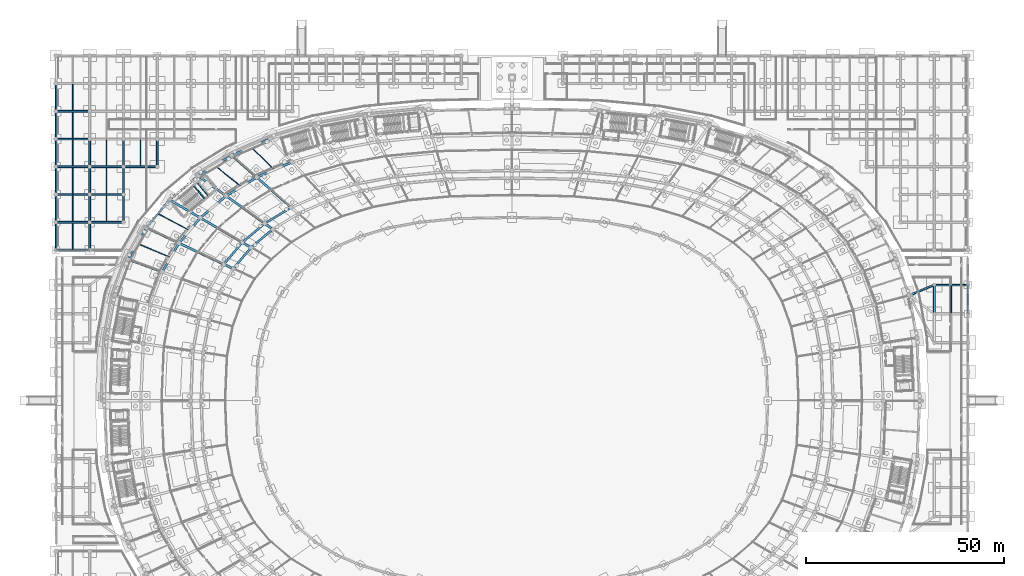
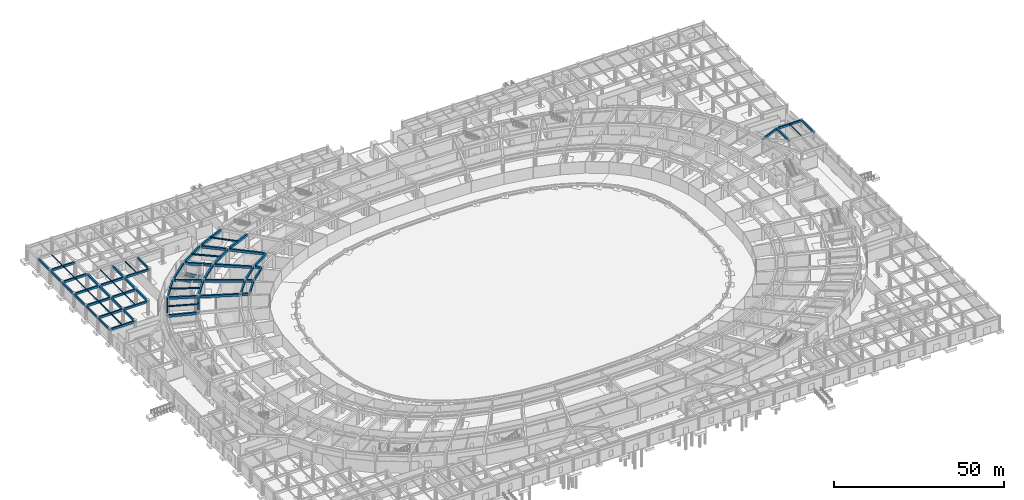
# One storey, part 33 of 88: 72 beams.
"""IFC4 building model written with IfcOpenShell, lengths in metres."""

from ifc_helpers import new_model, si_unit, direction, frame, origin, origin_2d, place, context, subcontext, project, spatial, rectangle, i_section, extrude, material, material_profile, profile_set, type_object, element, save


model = new_model("IFC4")

# Units and contexts
model_context = context("Model", 3, precision=1e-05, world=origin(), true_north=direction((0.0, 1.0)))
body_context = subcontext(model_context, "Body", "Model", "MODEL_VIEW")
ifc_project = project(units=[si_unit("LENGTHUNIT", "METRE"), si_unit("AREAUNIT", "SQUARE_METRE"), si_unit("VOLUMEUNIT", "CUBIC_METRE"), si_unit("PLANEANGLEUNIT", "RADIAN"), si_unit("MASSUNIT", "GRAM", prefix="KILO")], contexts=[model_context])

# Site, building, storey
site_placement = place(None, origin())
site = spatial("IfcSite", under=ifc_project, at=site_placement, CompositionType="ELEMENT")
building_placement = place(site_placement, origin())
building = spatial("IfcBuilding", under=site, at=building_placement, Name="Mphavela Belvedere Stadium", CompositionType="ELEMENT")
storey_placement = place(building_placement, origin())
storey = spatial("IfcBuildingStorey", under=building, at=storey_placement, Name="L00", CompositionType="ELEMENT", Elevation=0.0)

# Beams
ifc_material_1 = material(Name="Steel S355", Category="steel")
ifc_material_profile_1 = material_profile(ifc_material_1, i_section(OverallWidth=0.169921875, OverallDepth=0.360107421875, WebThickness=0.008056640625, FlangeThickness=0.0126953125, at=origin_2d()), Name="IPE 360")
ifc_profile_set_1 = profile_set([ifc_material_profile_1], Name="Steel S355")
beam_type_1 = type_object("IfcBeamType", Name="BM-JOIST-IPE360", PredefinedType="JOIST", material=ifc_profile_set_1)
beam_1_placement = place(storey_placement, frame((55.081787109375, 145.242431640625, 4.969970703125), z_axis=(-0.717067022089, 0.697004222249, 0.0), x_axis=(-0.697004222249, -0.717067022089, 0.0)))
element("IfcBeam", 1, at=beam_1_placement, inside=storey, type_object=beam_type_1, Name="Concourse floor joist L00-17", PredefinedType="JOIST", context=body_context, shape_type="SweptSolid", body=[
    extrude(i_section(OverallWidth=0.169921875, OverallDepth=0.360107421875, WebThickness=0.008056640625, FlangeThickness=0.0126953125, at=origin_2d()), origin(), (0.0, 0.0, 1.0), 8.22607421875),
])
beam_2_placement = place(storey_placement, frame((28.924560546875, 123.116455078125, 4.969970703125), z_axis=(-0.922122234563, 0.386898674751, 0.0), x_axis=(-0.386898674751, -0.922122234563, 0.0)))
element("IfcBeam", 2, at=beam_2_placement, inside=storey, type_object=beam_type_1, Name="Concourse floor joist L00-21", PredefinedType="JOIST", context=body_context, shape_type="SweptSolid", body=[
    extrude(i_section(OverallWidth=0.169921875, OverallDepth=0.360107421875, WebThickness=0.008056640625, FlangeThickness=0.0126953125, at=origin_2d()), origin(), (0.0, 0.0, 1.0), 9.189453125),
])
for number, where, z_axis, x_axis, name in (
    (3, (4.259521484375, 125.22509765625, 4.9599609375), (0.0, 1.0, 0.0), (-1.0, 0.0, 0.0), "North Mast and Ceremonial End Forecourt secondary joist L00 1-1"),
    (4, (4.259521484375, 132.22509765625, 4.9599609375), (0.0, 1.0, 0.0), (-1.0, 0.0, 0.0), "North Mast and Ceremonial End Forecourt secondary joist L00 1-2"),
    (5, (4.259521484375, 139.22509765625, 4.9599609375), (0.0, 1.0, 0.0), (-1.0, 0.0, 0.0), "North Mast and Ceremonial End Forecourt secondary joist L00 1-3"),
    (6, (4.259521484375, 146.22509765625, 4.9599609375), (0.0, 1.0, 0.0), (-1.0, 0.0, 0.0), "North Mast and Ceremonial End Forecourt secondary joist L00 1-4"),
    (7, (4.259521484375, 153.22509765625, 4.9599609375), (0.0, 1.0, 0.0), (-1.0, 0.0, 0.0), "North Mast and Ceremonial End Forecourt secondary joist L00 1-5"),
    (8, (4.259521484375, 160.22509765625, 4.9599609375), (0.0, 1.0, 0.0), (-1.0, 0.0, 0.0), "North Mast and Ceremonial End Forecourt secondary joist L00 1-6"),
    (9, (12.778076171875, 132.22509765625, 4.9599609375), (0.0, 1.0, 0.0), (-1.0, 0.0, 0.0), "North Mast and Ceremonial End Forecourt secondary joist L00 2-2"),
    (10, (12.778076171875, 139.22509765625, 4.9599609375), (0.0, 1.0, 0.0), (-1.0, 0.0, 0.0), "North Mast and Ceremonial End Forecourt secondary joist L00 2-3"),
    (11, (12.778076171875, 146.22509765625, 4.9599609375), (0.0, 1.0, 0.0), (-1.0, 0.0, 0.0), "North Mast and Ceremonial End Forecourt secondary joist L00 2-4"),
    (12, (21.29638671875, 146.22509765625, 4.9599609375), (0.0, 1.0, 0.0), (-1.0, 0.0, 0.0), "North Mast and Ceremonial End Forecourt secondary joist L00 3-4"),
):
    element("IfcBeam", number, at=place(storey_placement, frame(where, z_axis=z_axis, x_axis=x_axis)), inside=storey, type_object=beam_type_1, Name=name, PredefinedType="JOIST", context=body_context, shape_type="SweptSolid", body=[
        extrude(i_section(OverallWidth=0.169921875, OverallDepth=0.360107421875, WebThickness=0.008056640625, FlangeThickness=0.0126953125, at=origin_2d()), origin(), (0.0, 0.0, 1.0), 6.5498046875),
    ])
beam_3_placement = place(storey_placement, frame((225.75, 109.125, 4.9599609375), z_axis=(0.0, 1.0, 0.0), x_axis=(-1.0, 0.0, 0.0)))
element("IfcBeam", 13, at=beam_3_placement, inside=storey, type_object=beam_type_1, Name="East Planted Eaves Peristyle Colonnade secondary joist L00 8-9", PredefinedType="JOIST", context=body_context, shape_type="SweptSolid", body=[
    extrude(i_section(OverallWidth=0.169921875, OverallDepth=0.360107421875, WebThickness=0.008056640625, FlangeThickness=0.0126953125, at=origin_2d()), origin(), (0.0, 0.0, 1.0), 6.85009765625),
])
ifc_material_2 = material(Name="Steel S355", Category="steel")
ifc_material_profile_2 = material_profile(ifc_material_2, i_section(OverallWidth=0.179931640625, OverallDepth=0.39990234375, WebThickness=0.008544921875, FlangeThickness=0.013427734375, at=origin_2d()), Name="IPE 400")
ifc_profile_set_2 = profile_set([ifc_material_profile_2], Name="Steel S355")
beam_type_2 = type_object("IfcBeamType", Name="BM-JOIST-IPE400", PredefinedType="JOIST", material=ifc_profile_set_2)
beam_4_placement = place(storey_placement, frame((46.789306640625, 140.97412109375, 4.949951171875), z_axis=(-0.784195537739, 0.620513785979, 0.0), x_axis=(-0.620513785979, -0.784195537739, 0.0)))
element("IfcBeam", 14, at=beam_4_placement, inside=storey, type_object=beam_type_2, Name="Concourse floor joist L00-18", PredefinedType="JOIST", context=body_context, shape_type="SweptSolid", body=[
    extrude(i_section(OverallWidth=0.179931640625, OverallDepth=0.39990234375, WebThickness=0.008544921875, FlangeThickness=0.013427734375, at=origin_2d()), origin(), (0.0, 0.0, 1.0), 8.56298828125),
])
beam_5_placement = place(storey_placement, frame((33.7119140625, 129.93115234375, 4.949951171875), z_axis=(-0.884250771824, 0.467012390123, 0.0), x_axis=(-0.467012390123, -0.884250771824, 0.0)))
element("IfcBeam", 15, at=beam_5_placement, inside=storey, type_object=beam_type_2, Name="Concourse floor joist L00-20", PredefinedType="JOIST", context=body_context, shape_type="SweptSolid", body=[
    extrude(i_section(OverallWidth=0.179931640625, OverallDepth=0.39990234375, WebThickness=0.008544921875, FlangeThickness=0.013427734375, at=origin_2d()), origin(), (0.0, 0.0, 1.0), 9.0498046875),
])
ifc_material_3 = material(Name="Concrete C40/50", Category="concrete")
ifc_material_profile_3 = material_profile(ifc_material_3, rectangle(XDim=0.300048828125, YDim=0.449951171875, at=origin_2d()), Name="RC 300x450")
ifc_profile_set_3 = profile_set([ifc_material_profile_3], Name="Concrete C40/50")
beam_type_3 = type_object("IfcBeamType", Name="BM-RC300x450", PredefinedType="BEAM", material=ifc_profile_set_3)
for number, where, z_axis, x_axis, name in (
    (16, (37.5927734375, 137.838623046875, 2.27490234375), (-0.644915803055, 0.764253627384, 0.0), (-0.764253627384, -0.644915803055, 0.0), "Core C05 landing trimmer beam L00-1"),
    (17, (38.510009765625, 138.612548828125, 2.27490234375), (-0.644915803055, 0.764253627384, 0.0), (-0.764253627384, -0.644915803055, 0.0), "Core C05 landing trimmer beam L00-2"),
):
    element("IfcBeam", number, at=place(storey_placement, frame(where, z_axis=z_axis, x_axis=x_axis)), inside=storey, type_object=beam_type_3, Name=name, PredefinedType="BEAM", context=body_context, shape_type="SweptSolid", body=[
        extrude(rectangle(XDim=0.300048828125, YDim=0.449951171875, at=origin_2d()), origin(), (0.0, 0.0, 1.0), 4.469970703125),
    ])
ifc_material_4 = material(Name="Concrete C40/50", Category="concrete")
ifc_material_profile_4 = material_profile(ifc_material_4, rectangle(XDim=0.449951171875, YDim=0.75, at=origin_2d()), Name="RC 450x750")
ifc_profile_set_4 = profile_set([ifc_material_profile_4], Name="Concrete C40/50")
beam_type_4 = type_object("IfcBeamType", Name="BM-RC450x750", PredefinedType="BEAM", material=ifc_profile_set_4)
beam_6_placement = place(storey_placement, frame((0.0, 125.0, 4.764892578125), z_axis=(1.0, 0.0, 0.0), x_axis=(0.0, 1.0, 0.0)))
element("IfcBeam", 18, at=beam_6_placement, inside=storey, type_object=beam_type_4, Name="North Mast and Ceremonial End Forecourt entablature beam X L00 1-1", PredefinedType="BEAM", context=body_context, shape_type="SweptSolid", body=[
    extrude(rectangle(XDim=0.449951171875, YDim=0.75, at=origin_2d()), origin(), (0.0, 0.0, 1.0), 8.51904296875),
])
beam_7_placement = place(storey_placement, frame((0.0, 125.0, 4.764892578125), z_axis=(0.0, 1.0, 0.0), x_axis=(-1.0, 0.0, 0.0)))
element("IfcBeam", 19, at=beam_7_placement, inside=storey, type_object=beam_type_4, Name="North Mast and Ceremonial End Forecourt entablature beam Y L00 1-1", PredefinedType="BEAM", context=body_context, shape_type="SweptSolid", body=[
    extrude(rectangle(XDim=0.449951171875, YDim=0.75, at=origin_2d()), origin(), (0.0, 0.0, 1.0), 7.0),
])
beam_8_placement = place(storey_placement, frame((0.0, 132.0, 4.764892578125), z_axis=(1.0, 0.0, 0.0), x_axis=(0.0, 1.0, 0.0)))
element("IfcBeam", 20, at=beam_8_placement, inside=storey, type_object=beam_type_4, Name="North Mast and Ceremonial End Forecourt entablature beam X L00 1-2", PredefinedType="BEAM", context=body_context, shape_type="SweptSolid", body=[
    extrude(rectangle(XDim=0.449951171875, YDim=0.75, at=origin_2d()), origin(), (0.0, 0.0, 1.0), 8.51904296875),
])
beam_9_placement = place(storey_placement, frame((0.0, 132.0, 4.764892578125), z_axis=(0.0, 1.0, 0.0), x_axis=(-1.0, 0.0, 0.0)))
element("IfcBeam", 21, at=beam_9_placement, inside=storey, type_object=beam_type_4, Name="North Mast and Ceremonial End Forecourt entablature beam Y L00 1-2", PredefinedType="BEAM", context=body_context, shape_type="SweptSolid", body=[
    extrude(rectangle(XDim=0.449951171875, YDim=0.75, at=origin_2d()), origin(), (0.0, 0.0, 1.0), 7.0),
])
beam_10_placement = place(storey_placement, frame((0.0, 139.0, 4.764892578125), z_axis=(1.0, 0.0, 0.0), x_axis=(0.0, 1.0, 0.0)))
element("IfcBeam", 22, at=beam_10_placement, inside=storey, type_object=beam_type_4, Name="North Mast and Ceremonial End Forecourt entablature beam X L00 1-3", PredefinedType="BEAM", context=body_context, shape_type="SweptSolid", body=[
    extrude(rectangle(XDim=0.449951171875, YDim=0.75, at=origin_2d()), origin(), (0.0, 0.0, 1.0), 8.51904296875),
])
beam_11_placement = place(storey_placement, frame((0.0, 139.0, 4.764892578125), z_axis=(0.0, 1.0, 0.0), x_axis=(-1.0, 0.0, 0.0)))
element("IfcBeam", 23, at=beam_11_placement, inside=storey, type_object=beam_type_4, Name="North Mast and Ceremonial End Forecourt entablature beam Y L00 1-3", PredefinedType="BEAM", context=body_context, shape_type="SweptSolid", body=[
    extrude(rectangle(XDim=0.449951171875, YDim=0.75, at=origin_2d()), origin(), (0.0, 0.0, 1.0), 7.0),
])
beam_12_placement = place(storey_placement, frame((0.0, 146.0, 4.764892578125), z_axis=(1.0, 0.0, 0.0), x_axis=(0.0, 1.0, 0.0)))
element("IfcBeam", 24, at=beam_12_placement, inside=storey, type_object=beam_type_4, Name="North Mast and Ceremonial End Forecourt entablature beam X L00 1-4", PredefinedType="BEAM", context=body_context, shape_type="SweptSolid", body=[
    extrude(rectangle(XDim=0.449951171875, YDim=0.75, at=origin_2d()), origin(), (0.0, 0.0, 1.0), 8.51904296875),
])
beam_13_placement = place(storey_placement, frame((0.0, 146.0, 4.764892578125), z_axis=(0.0, 1.0, 0.0), x_axis=(-1.0, 0.0, 0.0)))
element("IfcBeam", 25, at=beam_13_placement, inside=storey, type_object=beam_type_4, Name="North Mast and Ceremonial End Forecourt entablature beam Y L00 1-4", PredefinedType="BEAM", context=body_context, shape_type="SweptSolid", body=[
    extrude(rectangle(XDim=0.449951171875, YDim=0.75, at=origin_2d()), origin(), (0.0, 0.0, 1.0), 7.0),
])
beam_14_placement = place(storey_placement, frame((0.0, 153.0, 4.764892578125), z_axis=(1.0, 0.0, 0.0), x_axis=(0.0, 1.0, 0.0)))
element("IfcBeam", 26, at=beam_14_placement, inside=storey, type_object=beam_type_4, Name="North Mast and Ceremonial End Forecourt entablature beam X L00 1-5", PredefinedType="BEAM", context=body_context, shape_type="SweptSolid", body=[
    extrude(rectangle(XDim=0.449951171875, YDim=0.75, at=origin_2d()), origin(), (0.0, 0.0, 1.0), 8.51904296875),
])
beam_15_placement = place(storey_placement, frame((0.0, 153.0, 4.764892578125), z_axis=(0.0, 1.0, 0.0), x_axis=(-1.0, 0.0, 0.0)))
element("IfcBeam", 27, at=beam_15_placement, inside=storey, type_object=beam_type_4, Name="North Mast and Ceremonial End Forecourt entablature beam Y L00 1-5", PredefinedType="BEAM", context=body_context, shape_type="SweptSolid", body=[
    extrude(rectangle(XDim=0.449951171875, YDim=0.75, at=origin_2d()), origin(), (0.0, 0.0, 1.0), 7.0),
])
beam_16_placement = place(storey_placement, frame((0.0, 160.0, 4.764892578125), z_axis=(1.0, 0.0, 0.0), x_axis=(0.0, 1.0, 0.0)))
element("IfcBeam", 28, at=beam_16_placement, inside=storey, type_object=beam_type_4, Name="North Mast and Ceremonial End Forecourt entablature beam X L00 1-6", PredefinedType="BEAM", context=body_context, shape_type="SweptSolid", body=[
    extrude(rectangle(XDim=0.449951171875, YDim=0.75, at=origin_2d()), origin(), (0.0, 0.0, 1.0), 8.51904296875),
])
for number, where, z_axis, x_axis, name in (
    (29, (0.0, 160.0, 4.764892578125), (0.0, 1.0, 0.0), (-1.0, 0.0, 0.0), "North Mast and Ceremonial End Forecourt entablature beam Y L00 1-6"),
    (30, (8.51904296875, 125.0, 4.764892578125), (0.0, 1.0, 0.0), (-1.0, 0.0, 0.0), "North Mast and Ceremonial End Forecourt entablature beam Y L00 2-1"),
):
    element("IfcBeam", number, at=place(storey_placement, frame(where, z_axis=z_axis, x_axis=x_axis)), inside=storey, type_object=beam_type_4, Name=name, PredefinedType="BEAM", context=body_context, shape_type="SweptSolid", body=[
        extrude(rectangle(XDim=0.449951171875, YDim=0.75, at=origin_2d()), origin(), (0.0, 0.0, 1.0), 7.0),
    ])
beam_17_placement = place(storey_placement, frame((8.51904296875, 132.0, 4.764892578125), z_axis=(1.0, 0.0, 0.0), x_axis=(0.0, 1.0, 0.0)))
element("IfcBeam", 31, at=beam_17_placement, inside=storey, type_object=beam_type_4, Name="North Mast and Ceremonial End Forecourt entablature beam X L00 2-2", PredefinedType="BEAM", context=body_context, shape_type="SweptSolid", body=[
    extrude(rectangle(XDim=0.449951171875, YDim=0.75, at=origin_2d()), origin(), (0.0, 0.0, 1.0), 8.51806640625),
])
beam_18_placement = place(storey_placement, frame((8.51904296875, 132.0, 4.764892578125), z_axis=(0.0, 1.0, 0.0), x_axis=(-1.0, 0.0, 0.0)))
element("IfcBeam", 32, at=beam_18_placement, inside=storey, type_object=beam_type_4, Name="North Mast and Ceremonial End Forecourt entablature beam Y L00 2-2", PredefinedType="BEAM", context=body_context, shape_type="SweptSolid", body=[
    extrude(rectangle(XDim=0.449951171875, YDim=0.75, at=origin_2d()), origin(), (0.0, 0.0, 1.0), 7.0),
])
beam_19_placement = place(storey_placement, frame((8.51904296875, 139.0, 4.764892578125), z_axis=(1.0, 0.0, 0.0), x_axis=(0.0, 1.0, 0.0)))
element("IfcBeam", 33, at=beam_19_placement, inside=storey, type_object=beam_type_4, Name="North Mast and Ceremonial End Forecourt entablature beam X L00 2-3", PredefinedType="BEAM", context=body_context, shape_type="SweptSolid", body=[
    extrude(rectangle(XDim=0.449951171875, YDim=0.75, at=origin_2d()), origin(), (0.0, 0.0, 1.0), 8.51806640625),
])
beam_20_placement = place(storey_placement, frame((8.51904296875, 139.0, 4.764892578125), z_axis=(0.0, 1.0, 0.0), x_axis=(-1.0, 0.0, 0.0)))
element("IfcBeam", 34, at=beam_20_placement, inside=storey, type_object=beam_type_4, Name="North Mast and Ceremonial End Forecourt entablature beam Y L00 2-3", PredefinedType="BEAM", context=body_context, shape_type="SweptSolid", body=[
    extrude(rectangle(XDim=0.449951171875, YDim=0.75, at=origin_2d()), origin(), (0.0, 0.0, 1.0), 7.0),
])
beam_21_placement = place(storey_placement, frame((8.51904296875, 146.0, 4.764892578125), z_axis=(1.0, 0.0, 0.0), x_axis=(0.0, 1.0, 0.0)))
element("IfcBeam", 35, at=beam_21_placement, inside=storey, type_object=beam_type_4, Name="North Mast and Ceremonial End Forecourt entablature beam X L00 2-4", PredefinedType="BEAM", context=body_context, shape_type="SweptSolid", body=[
    extrude(rectangle(XDim=0.449951171875, YDim=0.75, at=origin_2d()), origin(), (0.0, 0.0, 1.0), 8.51806640625),
])
for number, where, z_axis, x_axis, name in (
    (36, (8.51904296875, 146.0, 4.764892578125), (0.0, 1.0, 0.0), (-1.0, 0.0, 0.0), "North Mast and Ceremonial End Forecourt entablature beam Y L00 2-4"),
    (37, (17.037109375, 132.0, 4.764892578125), (0.0, 1.0, 0.0), (-1.0, 0.0, 0.0), "North Mast and Ceremonial End Forecourt entablature beam Y L00 3-2"),
    (38, (17.037109375, 139.0, 4.764892578125), (0.0, 1.0, 0.0), (-1.0, 0.0, 0.0), "North Mast and Ceremonial End Forecourt entablature beam Y L00 3-3"),
):
    element("IfcBeam", number, at=place(storey_placement, frame(where, z_axis=z_axis, x_axis=x_axis)), inside=storey, type_object=beam_type_4, Name=name, PredefinedType="BEAM", context=body_context, shape_type="SweptSolid", body=[
        extrude(rectangle(XDim=0.449951171875, YDim=0.75, at=origin_2d()), origin(), (0.0, 0.0, 1.0), 7.0),
    ])
beam_22_placement = place(storey_placement, frame((17.037109375, 146.0, 4.764892578125), z_axis=(1.0, 0.0, 0.0), x_axis=(0.0, 1.0, 0.0)))
element("IfcBeam", 39, at=beam_22_placement, inside=storey, type_object=beam_type_4, Name="North Mast and Ceremonial End Forecourt entablature beam X L00 3-4", PredefinedType="BEAM", context=body_context, shape_type="SweptSolid", body=[
    extrude(rectangle(XDim=0.449951171875, YDim=0.75, at=origin_2d()), origin(), (0.0, 0.0, 1.0), 8.518798828125),
])
for number, where, z_axis, x_axis, name in (
    (40, (17.037109375, 146.0, 4.764892578125), (0.0, 1.0, 0.0), (-1.0, 0.0, 0.0), "North Mast and Ceremonial End Forecourt entablature beam Y L00 3-4"),
    (41, (25.555908203125, 146.0, 4.764892578125), (0.0, 1.0, 0.0), (-1.0, 0.0, 0.0), "North Mast and Ceremonial End Forecourt entablature beam Y L00 4-4"),
):
    element("IfcBeam", number, at=place(storey_placement, frame(where, z_axis=z_axis, x_axis=x_axis)), inside=storey, type_object=beam_type_4, Name=name, PredefinedType="BEAM", context=body_context, shape_type="SweptSolid", body=[
        extrude(rectangle(XDim=0.449951171875, YDim=0.75, at=origin_2d()), origin(), (0.0, 0.0, 1.0), 7.0),
    ])
beam_23_placement = place(storey_placement, frame((221.5, 108.89990234375, 4.764892578125), z_axis=(0.0, 1.0, 0.0), x_axis=(-1.0, 0.0, 0.0)))
element("IfcBeam", 42, at=beam_23_placement, inside=storey, type_object=beam_type_4, Name="East Planted Eaves Peristyle Colonnade entablature beam Y L00 8-9", PredefinedType="BEAM", context=body_context, shape_type="SweptSolid", body=[
    extrude(rectangle(XDim=0.449951171875, YDim=0.75, at=origin_2d()), origin(), (0.0, 0.0, 1.0), 7.300048828125),
])
beam_24_placement = place(storey_placement, frame((221.5, 116.199951171875, 4.764892578125), z_axis=(1.0, 0.0, 0.0), x_axis=(0.0, 1.0, 0.0)))
element("IfcBeam", 43, at=beam_24_placement, inside=storey, type_object=beam_type_4, Name="East Planted Eaves Peristyle Colonnade entablature beam X L00 8-10", PredefinedType="BEAM", context=body_context, shape_type="SweptSolid", body=[
    extrude(rectangle(XDim=0.449951171875, YDim=0.75, at=origin_2d()), origin(), (0.0, 0.0, 1.0), 8.5),
])
beam_25_placement = place(storey_placement, frame((230.0, 108.89990234375, 4.764892578125), z_axis=(0.0, 1.0, 0.0), x_axis=(-1.0, 0.0, 0.0)))
element("IfcBeam", 44, at=beam_25_placement, inside=storey, type_object=beam_type_4, Name="East Planted Eaves Peristyle Colonnade entablature beam Y L00 9-9", PredefinedType="BEAM", context=body_context, shape_type="SweptSolid", body=[
    extrude(rectangle(XDim=0.449951171875, YDim=0.75, at=origin_2d()), origin(), (0.0, 0.0, 1.0), 7.300048828125),
])
beam_26_placement = place(storey_placement, frame((221.5, 116.199951171875, 4.764892578125), z_axis=(-0.923196868172, -0.38432738986, 0.0), x_axis=(0.38432738986, -0.923196868172, 0.0)))
element("IfcBeam", 45, at=beam_26_placement, inside=storey, type_object=beam_type_4, Name="East Planted Eaves Peristyle Colonnade bowl link girder L00-6", PredefinedType="BEAM", context=body_context, shape_type="SweptSolid", body=[
    extrude(rectangle(XDim=0.449951171875, YDim=0.75, at=origin_2d()), origin(), (0.0, 0.0, 1.0), 6.862548828125),
])
ifc_material_5 = material(Name="Concrete C40/50", Category="concrete")
ifc_material_profile_5 = material_profile(ifc_material_5, rectangle(XDim=0.5, YDim=0.800048828125, at=origin_2d()), Name="RC 500x800")
ifc_profile_set_5 = profile_set([ifc_material_profile_5], Name="Concrete C40/50")
beam_type_5 = type_object("IfcBeamType", Name="BM-RC500x800", PredefinedType="BEAM", material=ifc_profile_set_5)
beam_27_placement = place(storey_placement, frame((59.31005859375, 135.72998046875, 4.75), z_axis=(-0.854328477138, -0.519733444326, 0.0), x_axis=(0.519733444326, -0.854328477138, 0.0)))
element("IfcBeam", 46, at=beam_27_placement, inside=storey, type_object=beam_type_5, Name="Circumferential girder L00 R2-18", PredefinedType="BEAM", context=body_context, shape_type="SweptSolid", body=[
    extrude(rectangle(XDim=0.5, YDim=0.800048828125, at=origin_2d()), origin(), (0.0, 0.0, 1.0), 7.800048828125),
])
beam_28_placement = place(storey_placement, frame((54.66259765625, 130.2314453125, 4.75), z_axis=(-0.76425683958, -0.644911996442, 0.0), x_axis=(0.644911996442, -0.76425683958, 0.0)))
element("IfcBeam", 47, at=beam_28_placement, inside=storey, type_object=beam_type_5, Name="Circumferential girder L00 R1-19", PredefinedType="BEAM", context=body_context, shape_type="SweptSolid", body=[
    extrude(rectangle(XDim=0.5, YDim=0.800048828125, at=origin_2d()), origin(), (0.0, 0.0, 1.0), 7.1640625),
])
beam_29_placement = place(storey_placement, frame((52.646240234375, 131.676025390625, 4.75), z_axis=(-0.764257451296, -0.644911271523, 0.0), x_axis=(0.644911271523, -0.764257451296, 0.0)))
element("IfcBeam", 48, at=beam_29_placement, inside=storey, type_object=beam_type_5, Name="Circumferential girder L00 R2-19", PredefinedType="BEAM", context=body_context, shape_type="SweptSolid", body=[
    extrude(rectangle(XDim=0.5, YDim=0.800048828125, at=origin_2d()), origin(), (0.0, 0.0, 1.0), 7.4033203125),
])
beam_30_placement = place(storey_placement, frame((49.1875, 125.611328125, 4.75), z_axis=(-0.645159025586, -0.764048317651, 0.0), x_axis=(0.764048317651, -0.645159025586, 0.0)))
element("IfcBeam", 49, at=beam_30_placement, inside=storey, type_object=beam_type_5, Name="Circumferential girder L00 R1-20", PredefinedType="BEAM", context=body_context, shape_type="SweptSolid", body=[
    extrude(rectangle(XDim=0.5, YDim=0.800048828125, at=origin_2d()), origin(), (0.0, 0.0, 1.0), 6.975830078125),
])
beam_31_placement = place(storey_placement, frame((46.98828125, 126.901611328125, 4.75), z_axis=(-0.645167637984, -0.764041045297, 0.0), x_axis=(0.764041045297, -0.645167637984, 0.0)))
element("IfcBeam", 50, at=beam_31_placement, inside=storey, type_object=beam_type_5, Name="Circumferential girder L00 R2-20", PredefinedType="BEAM", context=body_context, shape_type="SweptSolid", body=[
    extrude(rectangle(XDim=0.5, YDim=0.800048828125, at=origin_2d()), origin(), (0.0, 0.0, 1.0), 7.208740234375),
])
ifc_material_6 = material(Name="Concrete C40/50", Category="concrete")
ifc_material_profile_6 = material_profile(ifc_material_6, rectangle(XDim=0.550048828125, YDim=0.85009765625, at=origin_2d()), Name="RC 550x850")
ifc_profile_set_6 = profile_set([ifc_material_profile_6], Name="Concrete C40/50")
beam_type_6 = type_object("IfcBeamType", Name="BM-RC550x850", PredefinedType="BEAM", material=ifc_profile_set_6)
beam_32_placement = place(storey_placement, frame((59.523681640625, 147.16796875, 4.72509765625), z_axis=(-0.917501650019, -0.397731972832, 0.0), x_axis=(0.397731972832, -0.917501650019, 0.0)))
element("IfcBeam", 51, at=beam_32_placement, inside=storey, type_object=beam_type_6, Name="Circumferential girder L00 R3-17", PredefinedType="BEAM", context=body_context, shape_type="SweptSolid", body=[
    extrude(rectangle(XDim=0.550048828125, YDim=0.85009765625, at=origin_2d()), origin(), (0.0, 0.0, 1.0), 9.6826171875),
])
beam_33_placement = place(storey_placement, frame((50.639892578125, 143.31689453125, 4.72509765625), z_axis=(-0.854315160357, -0.519755333579, 0.0), x_axis=(0.519755333579, -0.854315160357, 0.0)))
element("IfcBeam", 52, at=beam_33_placement, inside=storey, type_object=beam_type_6, Name="Circumferential girder L00 R3-18", PredefinedType="BEAM", context=body_context, shape_type="SweptSolid", body=[
    extrude(rectangle(XDim=0.550048828125, YDim=0.85009765625, at=origin_2d()), origin(), (0.0, 0.0, 1.0), 9.014404296875),
])
beam_34_placement = place(storey_placement, frame((59.31005859375, 135.72998046875, 4.72509765625), z_axis=(-0.752554378136, 0.658530111648, 0.0), x_axis=(-0.658530111648, -0.752554378136, 0.0)))
element("IfcBeam", 53, at=beam_34_placement, inside=storey, type_object=beam_type_6, Name="Radial concourse girder L00 R2R3-18", PredefinedType="BEAM", context=body_context, shape_type="SweptSolid", body=[
    extrude(rectangle(XDim=0.550048828125, YDim=0.85009765625, at=origin_2d()), origin(), (0.0, 0.0, 1.0), 11.52099609375),
])
beam_35_placement = place(storey_placement, frame((50.639892578125, 143.31689453125, 4.72509765625), z_axis=(-0.752589268993, 0.658490236978, 0.0), x_axis=(-0.658490236978, -0.752589268993, 0.0)))
element("IfcBeam", 54, at=beam_35_placement, inside=storey, type_object=beam_type_6, Name="Radial concourse girder L00 R3R4-18", PredefinedType="BEAM", context=body_context, shape_type="SweptSolid", body=[
    extrude(rectangle(XDim=0.550048828125, YDim=0.85009765625, at=origin_2d()), origin(), (0.0, 0.0, 1.0), 8.419189453125),
])
beam_36_placement = place(storey_placement, frame((42.938720703125, 138.631591796875, 4.72509765625), z_axis=(-0.764263355392, -0.644904274761, 0.0), x_axis=(0.644904274761, -0.764263355392, 0.0)))
element("IfcBeam", 55, at=beam_36_placement, inside=storey, type_object=beam_type_6, Name="Circumferential girder L00 R3-19", PredefinedType="BEAM", context=body_context, shape_type="SweptSolid", body=[
    extrude(rectangle(XDim=0.550048828125, YDim=0.85009765625, at=origin_2d()), origin(), (0.0, 0.0, 1.0), 8.55615234375),
])
beam_37_placement = place(storey_placement, frame((54.66259765625, 130.2314453125, 4.72509765625), z_axis=(-0.81290799415, 0.582392129966, 0.0), x_axis=(-0.582392129966, -0.81290799415, 0.0)))
element("IfcBeam", 56, at=beam_37_placement, inside=storey, type_object=beam_type_6, Name="Radial concourse girder L00 R1R2-19", PredefinedType="BEAM", context=body_context, shape_type="SweptSolid", body=[
    extrude(rectangle(XDim=0.550048828125, YDim=0.85009765625, at=origin_2d()), origin(), (0.0, 0.0, 1.0), 2.48046875),
])
beam_38_placement = place(storey_placement, frame((52.646240234375, 131.676025390625, 4.72509765625), z_axis=(-0.812876169184, 0.582436548967, 0.0), x_axis=(-0.582436548967, -0.812876169184, 0.0)))
element("IfcBeam", 57, at=beam_38_placement, inside=storey, type_object=beam_type_6, Name="Radial concourse girder L00 R2R3-19", PredefinedType="BEAM", context=body_context, shape_type="SweptSolid", body=[
    extrude(rectangle(XDim=0.550048828125, YDim=0.85009765625, at=origin_2d()), origin(), (0.0, 0.0, 1.0), 11.942138671875),
])
beam_39_placement = place(storey_placement, frame((42.938720703125, 138.631591796875, 4.72509765625), z_axis=(-0.812882024932, 0.582428376319, 0.0), x_axis=(-0.582428376319, -0.812882024932, 0.0)))
element("IfcBeam", 58, at=beam_39_placement, inside=storey, type_object=beam_type_6, Name="Radial concourse girder L00 R3R4-19", PredefinedType="BEAM", context=body_context, shape_type="SweptSolid", body=[
    extrude(rectangle(XDim=0.550048828125, YDim=0.85009765625, at=origin_2d()), origin(), (0.0, 0.0, 1.0), 8.727294921875),
])
beam_40_placement = place(storey_placement, frame((36.399658203125, 133.11376953125, 4.72509765625), z_axis=(-0.645177396673, -0.764032804808, 0.0), x_axis=(0.764032804808, -0.645177396673, 0.0)))
element("IfcBeam", 59, at=beam_40_placement, inside=storey, type_object=beam_type_6, Name="Circumferential girder L00 R3-20", PredefinedType="BEAM", context=body_context, shape_type="SweptSolid", body=[
    extrude(rectangle(XDim=0.550048828125, YDim=0.85009765625, at=origin_2d()), origin(), (0.0, 0.0, 1.0), 8.331298828125),
])
beam_41_placement = place(storey_placement, frame((49.1875, 125.611328125, 4.72509765625), z_axis=(-0.862512089915, 0.50603645595, 0.0), x_axis=(-0.50603645595, -0.862512089915, 0.0)))
element("IfcBeam", 60, at=beam_41_placement, inside=storey, type_object=beam_type_6, Name="Radial concourse girder L00 R1R2-20", PredefinedType="BEAM", context=body_context, shape_type="SweptSolid", body=[
    extrude(rectangle(XDim=0.550048828125, YDim=0.85009765625, at=origin_2d()), origin(), (0.0, 0.0, 1.0), 2.5498046875),
])
beam_42_placement = place(storey_placement, frame((46.98828125, 126.901611328125, 4.72509765625), z_axis=(-0.862519003522, 0.506024671892, 0.0), x_axis=(-0.506024671892, -0.862519003522, 0.0)))
element("IfcBeam", 61, at=beam_42_placement, inside=storey, type_object=beam_type_6, Name="Radial concourse girder L00 R2R3-20", PredefinedType="BEAM", context=body_context, shape_type="SweptSolid", body=[
    extrude(rectangle(XDim=0.550048828125, YDim=0.85009765625, at=origin_2d()), origin(), (0.0, 0.0, 1.0), 12.2763671875),
])
beam_43_placement = place(storey_placement, frame((36.399658203125, 133.11376953125, 4.72509765625), z_axis=(-0.862517779395, 0.506026758411, 0.0), x_axis=(-0.506026758411, -0.862517779395, 0.0)))
element("IfcBeam", 62, at=beam_43_placement, inside=storey, type_object=beam_type_6, Name="Radial concourse girder L00 R3R4-20", PredefinedType="BEAM", context=body_context, shape_type="SweptSolid", body=[
    extrude(rectangle(XDim=0.550048828125, YDim=0.85009765625, at=origin_2d()), origin(), (0.0, 0.0, 1.0), 8.971435546875),
])
beam_44_placement = place(storey_placement, frame((31.0244140625, 126.748291015625, 4.72509765625), z_axis=(-0.500547586322, -0.865709023765, 0.0), x_axis=(0.865709023765, -0.500547586322, 0.0)))
element("IfcBeam", 63, at=beam_44_placement, inside=storey, type_object=beam_type_6, Name="Circumferential girder L00 R3-21", PredefinedType="BEAM", context=body_context, shape_type="SweptSolid", body=[
    extrude(rectangle(XDim=0.550048828125, YDim=0.85009765625, at=origin_2d()), origin(), (0.0, 0.0, 1.0), 8.390625),
])
beam_45_placement = place(storey_placement, frame((44.68701171875, 120.281494140625, 4.72509765625), z_axis=(-0.903837253846, 0.427876405707, 0.0), x_axis=(-0.427876405707, -0.903837253846, 0.0)))
element("IfcBeam", 64, at=beam_45_placement, inside=storey, type_object=beam_type_6, Name="Radial concourse girder L00 R1R2-21", PredefinedType="BEAM", context=body_context, shape_type="SweptSolid", body=[
    extrude(rectangle(XDim=0.550048828125, YDim=0.85009765625, at=origin_2d()), origin(), (0.0, 0.0, 1.0), 2.599609375),
])
beam_46_placement = place(storey_placement, frame((42.33740234375, 121.393798828125, 4.72509765625), z_axis=(-0.903870454162, 0.427806267009, 0.0), x_axis=(-0.427806267009, -0.903870454162, 0.0)))
element("IfcBeam", 65, at=beam_46_placement, inside=storey, type_object=beam_type_6, Name="Radial concourse girder L00 R2R3-21", PredefinedType="BEAM", context=body_context, shape_type="SweptSolid", body=[
    extrude(rectangle(XDim=0.550048828125, YDim=0.85009765625, at=origin_2d()), origin(), (0.0, 0.0, 1.0), 12.51611328125),
])
beam_47_placement = place(storey_placement, frame((31.0244140625, 126.748291015625, 4.72509765625), z_axis=(-0.903845427073, 0.427859140325, 0.0), x_axis=(-0.427859140325, -0.903845427073, 0.0)))
element("IfcBeam", 66, at=beam_47_placement, inside=storey, type_object=beam_type_6, Name="Radial concourse girder L00 R3R4-21", PredefinedType="BEAM", context=body_context, shape_type="SweptSolid", body=[
    extrude(rectangle(XDim=0.550048828125, YDim=0.85009765625, at=origin_2d()), origin(), (0.0, 0.0, 1.0), 9.146240234375),
])
beam_48_placement = place(storey_placement, frame((26.824462890625, 119.484375, 4.72509765625), z_axis=(-0.938348073025, 0.345691905967, 0.0), x_axis=(-0.345691905967, -0.938348073025, 0.0)))
element("IfcBeam", 67, at=beam_48_placement, inside=storey, type_object=beam_type_6, Name="Radial concourse girder L00 R3R4-22", PredefinedType="BEAM", context=body_context, shape_type="SweptSolid", body=[
    extrude(rectangle(XDim=0.550048828125, YDim=0.85009765625, at=origin_2d()), origin(), (0.0, 0.0, 1.0), 9.2509765625),
])
ifc_material_7 = material(Name="Concrete C40/50", Category="concrete")
ifc_material_profile_7 = material_profile(ifc_material_7, rectangle(XDim=0.5, YDim=0.800048828125, at=origin_2d()), Name="RC 500x800")
ifc_profile_set_7 = profile_set([ifc_material_profile_7], Name="Concrete C40/50")
beam_type_7 = type_object("IfcBeamType", Name="BM-SPANDREL-800", PredefinedType="SPANDREL", material=ifc_profile_set_7)
beam_49_placement = place(storey_placement, frame((54.0625, 153.09130859375, 4.75), z_axis=(-0.91749867224, -0.397738842004, 0.0), x_axis=(0.397738842004, -0.91749867224, 0.0)))
element("IfcBeam", 68, at=beam_49_placement, inside=storey, type_object=beam_type_7, Name="Circumferential girder L00 R4-17", PredefinedType="SPANDREL", context=body_context, shape_type="SweptSolid", body=[
    extrude(rectangle(XDim=0.5, YDim=0.800048828125, at=origin_2d()), origin(), (0.0, 0.0, 1.0), 10.63623046875),
])
beam_50_placement = place(storey_placement, frame((44.3037109375, 148.86083984375, 4.75), z_axis=(-0.854326607994, -0.51973651678, 0.0), x_axis=(0.51973651678, -0.854326607994, 0.0)))
element("IfcBeam", 69, at=beam_50_placement, inside=storey, type_object=beam_type_7, Name="Circumferential girder L00 R4-18", PredefinedType="SPANDREL", context=body_context, shape_type="SweptSolid", body=[
    extrude(rectangle(XDim=0.5, YDim=0.800048828125, at=origin_2d()), origin(), (0.0, 0.0, 1.0), 9.901611328125),
])
beam_51_placement = place(storey_placement, frame((35.844482421875, 143.714599609375, 4.75), z_axis=(-0.76426547638, -0.644901761212, 0.0), x_axis=(0.644901761212, -0.76426547638, 0.0)))
element("IfcBeam", 70, at=beam_51_placement, inside=storey, type_object=beam_type_7, Name="Circumferential girder L00 R4-19", PredefinedType="SPANDREL", context=body_context, shape_type="SweptSolid", body=[
    extrude(rectangle(XDim=0.5, YDim=0.800048828125, at=origin_2d()), origin(), (0.0, 0.0, 1.0), 9.3984375),
])
beam_52_placement = place(storey_placement, frame((28.66162109375, 137.653564453125, 4.75), z_axis=(-0.645164552218, -0.764043650952, 0.0), x_axis=(0.764043650952, -0.645164552218, 0.0)))
element("IfcBeam", 71, at=beam_52_placement, inside=storey, type_object=beam_type_7, Name="Circumferential girder L00 R4-20", PredefinedType="SPANDREL", context=body_context, shape_type="SweptSolid", body=[
    extrude(rectangle(XDim=0.5, YDim=0.800048828125, at=origin_2d()), origin(), (0.0, 0.0, 1.0), 9.151123046875),
])
beam_53_placement = place(storey_placement, frame((22.757568359375, 130.66162109375, 4.75), z_axis=(-0.500565297122, -0.865698783248, 0.0), x_axis=(0.865698783248, -0.500565297122, 0.0)))
element("IfcBeam", 72, at=beam_53_placement, inside=storey, type_object=beam_type_7, Name="Circumferential girder L00 R4-21", PredefinedType="SPANDREL", context=body_context, shape_type="SweptSolid", body=[
    extrude(rectangle(XDim=0.5, YDim=0.800048828125, at=origin_2d()), origin(), (0.0, 0.0, 1.0), 9.217041015625),
])

save(model, "model.ifc")
